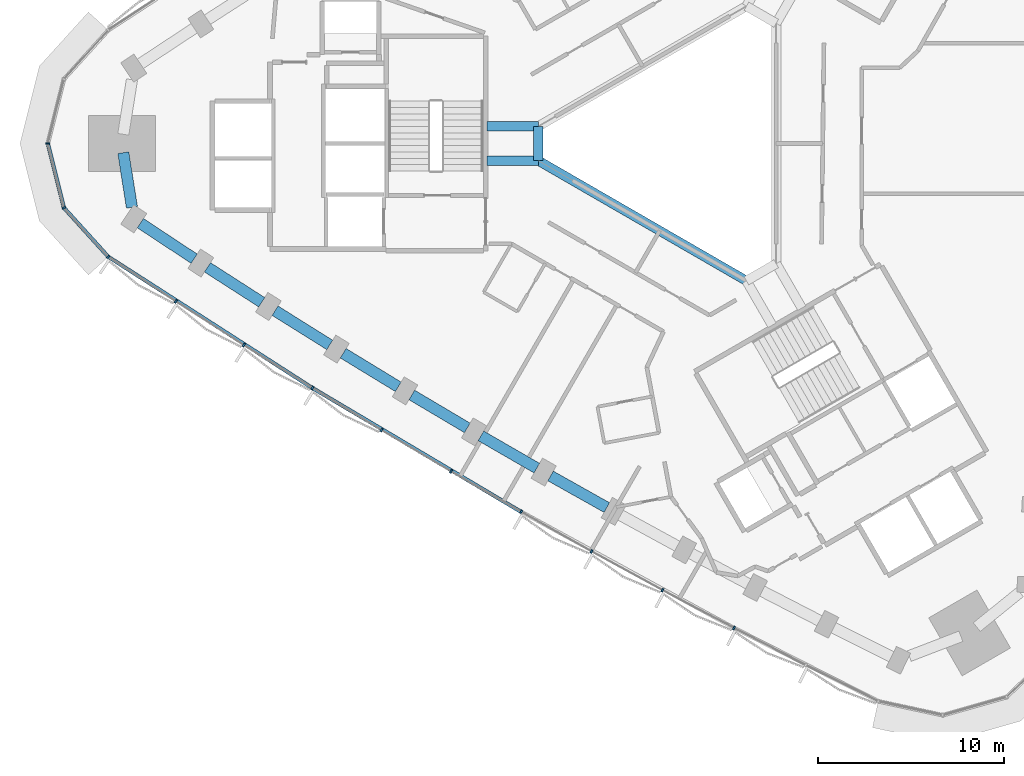
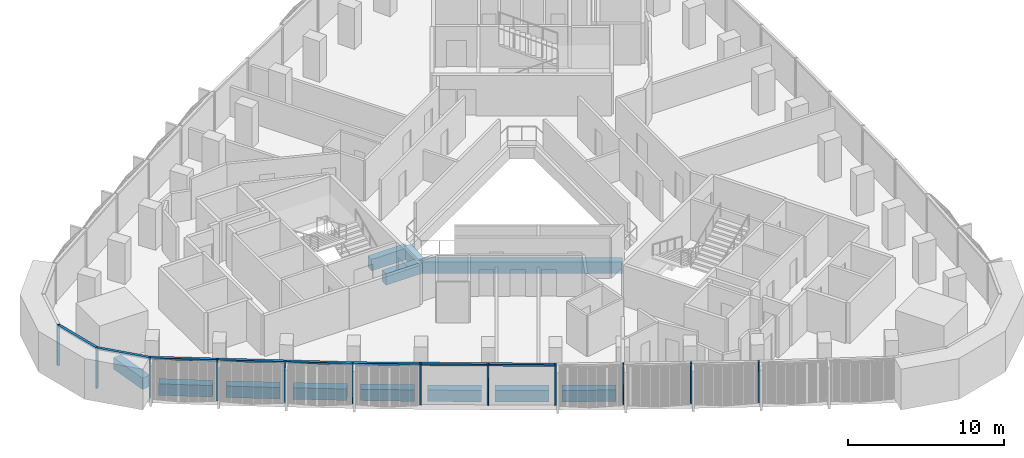
# One storey, part 2 of 14: 16 members, 12 beams, 2 elements without a shape of their own.
"""IFC4 building model written with IfcOpenShell, lengths in metres."""

from ifc_helpers import new_model, si_unit, direction, frame, origin, origin_2d, place, context, subcontext, project, spatial, rectangle, extrude, material, material_profile, profile_set, type_object, element, aggregate, save


model = new_model("IFC4")

# Units and contexts
model_context = context("Model", 3, precision=1e-05, world=origin(), true_north=direction((0.0, 1.0)))
body_context = subcontext(model_context, "Body", "Model", "MODEL_VIEW")
ifc_project = project(units=[si_unit("LENGTHUNIT", "METRE"), si_unit("AREAUNIT", "SQUARE_METRE"), si_unit("VOLUMEUNIT", "CUBIC_METRE"), si_unit("PLANEANGLEUNIT", "RADIAN"), si_unit("MASSUNIT", "GRAM", prefix="KILO")], contexts=[model_context])

# Site, building, storey
site_placement = place(None, origin())
site = spatial("IfcSite", under=ifc_project, at=site_placement, CompositionType="ELEMENT")
building_placement = place(site_placement, origin())
building = spatial("IfcBuilding", under=site, at=building_placement, Name="Tamra Quay Hotel Tower", CompositionType="ELEMENT")
storey_placement = place(building_placement, frame((0.0, 0.0, 146.800048828125)))
storey = spatial("IfcBuildingStorey", under=building, at=storey_placement, Name="L36", CompositionType="ELEMENT", Elevation=146.800048828125)

# Beams
ifc_material_1 = material(Name="Concrete M60", Category="concrete")
ifc_material_profile_1 = material_profile(ifc_material_1, rectangle(XDim=0.5, YDim=0.89990234375, at=origin_2d()), Name="ATRIUM EDGE BEAM RC 500x900")
ifc_profile_set_1 = profile_set([ifc_material_profile_1], Name="Concrete M60")
beam_type_1 = type_object("IfcBeamType", Name="ATRIUM EDGE BEAM RC 500x900", PredefinedType="BEAM", material=ifc_profile_set_1)
beam_1_placement = place(storey_placement, frame((3.199951171875, -7.39013671875, -0.85009765625), z_axis=(-0.866024942741, 0.500000798549, 0.0), x_axis=(-0.500000798549, -0.866024942741, 0.0)))
element("IfcBeam", 1, at=beam_1_placement, inside=storey, type_object=beam_type_1, Name="BM-AB2-L36", PredefinedType="BEAM", context=body_context, shape_type="SweptSolid", body=[
    extrude(rectangle(XDim=0.5, YDim=0.89990234375, at=origin_2d()), origin(), (0.0, 0.0, 1.0), 12.9326171875),
])
beam_2_placement = place(storey_placement, frame((-8.0, -0.923828125, -0.85009765625), z_axis=(0.0, 1.0, 0.0), x_axis=(-1.0, 0.0, 0.0)))
element("IfcBeam", 2, at=beam_2_placement, inside=storey, type_object=beam_type_1, Name="BM-AB3-L36", PredefinedType="BEAM", context=body_context, shape_type="SweptSolid", body=[
    extrude(rectangle(XDim=0.5, YDim=0.89990234375, at=origin_2d()), origin(), (0.0, 0.0, 1.0), 1.84765625),
])
ifc_material_profile_2 = material_profile(ifc_material_1, rectangle(XDim=0.5, YDim=0.89990234375, at=origin_2d()), Name="ATRIUM TIE BEAM RC 500x900")
ifc_profile_set_2 = profile_set([ifc_material_profile_2], Name="Concrete M60")
beam_type_2 = type_object("IfcBeamType", Name="ATRIUM TIE BEAM RC 500x900", PredefinedType="BEAM", material=ifc_profile_set_2)
for number, where, z_axis, x_axis, name in (
    (3, (-8.0, -0.923828125, -0.85009765625), (-1.0, 0.0, 0.0), (0.0, -1.0, 0.0), "BM-TIE-3-L36"),
    (4, (-8.0, 0.923828125, -0.85009765625), (-1.0, 0.0, 0.0), (0.0, -1.0, 0.0), "BM-TIE-4-L36"),
):
    element("IfcBeam", number, at=place(storey_placement, frame(where, z_axis=z_axis, x_axis=x_axis)), inside=storey, type_object=beam_type_2, Name=name, PredefinedType="BEAM", context=body_context, shape_type="SweptSolid", body=[
        extrude(rectangle(XDim=0.5, YDim=0.89990234375, at=origin_2d()), origin(), (0.0, 0.0, 1.0), 2.76220703125),
    ])

# Curtain wall, members
ifc_material_2 = material(Name="Aluminium 6063 anodised dark grey", Category="aluminium")
curtain_wall_type_1 = type_object("IfcCurtainWallType", Name="CW2 CURTAIN WALL", PredefinedType="NOTDEFINED", material=ifc_material_2)
curtain_wall_1_placement = place(storey_placement, origin())
curtain_wall_1 = element("IfcCurtainWall", 5, at=curtain_wall_1_placement, inside=storey, type_object=curtain_wall_type_1, Name="CW2 north-west face L36", PredefinedType="NOTDEFINED")
ifc_material_profile_3 = material_profile(ifc_material_2, rectangle(XDim=0.199951171875, YDim=0.10009765625, at=origin_2d()), Name="MULLION 100X200")
ifc_profile_set_3 = profile_set([ifc_material_profile_3], Name="Aluminium 6063 anodised dark grey")
member_type_1 = type_object("IfcMemberType", Name="MULLION CW2 Z3", PredefinedType="MULLION", material=ifc_profile_set_3)
member_1_placement = place(storey_placement, frame((-34.39990234375, 0.0, 0.0), z_axis=(0.0, 0.0, 1.0), x_axis=(-1.0, 0.0, 0.0)))
member_1 = element("IfcMember", 6, at=member_1_placement, type_object=member_type_1, Name="CW2 mullion L36.NW.14", PredefinedType="MULLION", context=body_context, shape_type="SweptSolid", body=[
    extrude(rectangle(XDim=0.199951171875, YDim=0.10009765625, at=origin_2d()), origin(), (0.0, 0.0, 1.0), 3.199951171875),
])
member_2_placement = place(storey_placement, frame((-33.533935546875, -3.4580078125, 0.0), z_axis=(0.0, 0.0, 1.0), x_axis=(-0.881925145425, -0.47138947577, 0.0)))
member_2 = element("IfcMember", 7, at=member_2_placement, type_object=member_type_1, Name="CW2 mullion L36.NW.15", PredefinedType="MULLION", context=body_context, shape_type="SweptSolid", body=[
    extrude(rectangle(XDim=0.199951171875, YDim=0.10009765625, at=origin_2d()), origin(), (0.0, 0.0, 1.0), 3.199951171875),
])

curtain_wall_type_2 = type_object("IfcCurtainWallType", Name="CW3 CURTAIN WALL", PredefinedType="NOTDEFINED", material=ifc_material_2)
curtain_wall_2_placement = place(storey_placement, origin())
curtain_wall_2 = element("IfcCurtainWall", 8, at=curtain_wall_2_placement, inside=storey, type_object=curtain_wall_type_2, Name="CW3 south-west face L36", PredefinedType="NOTDEFINED")
ifc_material_profile_4 = material_profile(ifc_material_2, rectangle(XDim=0.199951171875, YDim=0.10009765625, at=origin_2d()), Name="MULLION 100X200")
ifc_profile_set_4 = profile_set([ifc_material_profile_4], Name="Aluminium 6063 anodised dark grey")
member_type_2 = type_object("IfcMemberType", Name="MULLION CW3 Z3", PredefinedType="MULLION", material=ifc_profile_set_4)
member_3_placement = place(storey_placement, frame((-31.139892578125, -6.099365234375, 0.0), z_axis=(0.0, 0.0, 1.0), x_axis=(-0.650989203966, -0.759086988638, 0.0)))
member_3 = element("IfcMember", 9, at=member_3_placement, type_object=member_type_2, Name="CW3 mullion L36.SW.1", PredefinedType="MULLION", context=body_context, shape_type="SweptSolid", body=[
    extrude(rectangle(XDim=0.199951171875, YDim=0.10009765625, at=origin_2d()), origin(), (0.0, 0.0, 1.0), 3.199951171875),
])
member_4_placement = place(storey_placement, frame((-27.507568359375, -8.49609375, 0.0), z_axis=(0.0, 0.0, 1.0), x_axis=(-0.545780333841, -0.83792829478, 0.0)))
member_4 = element("IfcMember", 10, at=member_4_placement, type_object=member_type_2, Name="CW3 mullion L36.SW.2", PredefinedType="MULLION", context=body_context, shape_type="SweptSolid", body=[
    extrude(rectangle(XDim=0.199951171875, YDim=0.10009765625, at=origin_2d()), origin(), (0.0, 0.0, 1.0), 3.199951171875),
])
member_5_placement = place(storey_placement, frame((-23.84765625, -10.84912109375, 0.0), z_axis=(0.0, 0.0, 1.0), x_axis=(-0.535760469724, -0.844370013135, 0.0)))
member_5 = element("IfcMember", 11, at=member_5_placement, type_object=member_type_2, Name="CW3 mullion L36.SW.3", PredefinedType="MULLION", context=body_context, shape_type="SweptSolid", body=[
    extrude(rectangle(XDim=0.199951171875, YDim=0.10009765625, at=origin_2d()), origin(), (0.0, 0.0, 1.0), 3.199951171875),
])
member_6_placement = place(storey_placement, frame((-20.15869140625, -13.1591796875, 0.0), z_axis=(0.0, 0.0, 1.0), x_axis=(-0.525646070237, -0.850703361251, 0.0)))
member_6 = element("IfcMember", 12, at=member_6_placement, type_object=member_type_2, Name="CW3 mullion L36.SW.4", PredefinedType="MULLION", context=body_context, shape_type="SweptSolid", body=[
    extrude(rectangle(XDim=0.199951171875, YDim=0.10009765625, at=origin_2d()), origin(), (0.0, 0.0, 1.0), 3.199951171875),
])
member_7_placement = place(storey_placement, frame((-16.4423828125, -15.4248046875, 0.0), z_axis=(0.0, 0.0, 1.0), x_axis=(-0.515444608831, -0.856922899231, 0.0)))
member_7 = element("IfcMember", 13, at=member_7_placement, type_object=member_type_2, Name="CW3 mullion L36.SW.5", PredefinedType="MULLION", context=body_context, shape_type="SweptSolid", body=[
    extrude(rectangle(XDim=0.199951171875, YDim=0.10009765625, at=origin_2d()), origin(), (0.0, 0.0, 1.0), 3.199951171875),
])
member_8_placement = place(storey_placement, frame((-12.700439453125, -17.645263671875, 0.0), z_axis=(0.0, 0.0, 1.0), x_axis=(-0.505168628897, -0.863020658141, 0.0)))
member_8 = element("IfcMember", 14, at=member_8_placement, type_object=member_type_2, Name="CW3 mullion L36.SW.6", PredefinedType="MULLION", context=body_context, shape_type="SweptSolid", body=[
    extrude(rectangle(XDim=0.199951171875, YDim=0.10009765625, at=origin_2d()), origin(), (0.0, 0.0, 1.0), 3.199951171875),
])
member_9_placement = place(storey_placement, frame((-8.930908203125, -19.821533203125, 0.0), z_axis=(0.0, 0.0, 1.0), x_axis=(-0.494813499493, -0.86899919489, 0.0)))
member_9 = element("IfcMember", 15, at=member_9_placement, type_object=member_type_2, Name="CW3 mullion L36.SW.7", PredefinedType="MULLION", context=body_context, shape_type="SweptSolid", body=[
    extrude(rectangle(XDim=0.199951171875, YDim=0.10009765625, at=origin_2d()), origin(), (0.0, 0.0, 1.0), 3.199951171875),
])
member_10_placement = place(storey_placement, frame((-5.13720703125, -21.951904296875, 0.0), z_axis=(0.0, 0.0, 1.0), x_axis=(-0.484394695404, -0.874849575107, 0.0)))
member_10 = element("IfcMember", 16, at=member_10_placement, type_object=member_type_2, Name="CW3 mullion L36.SW.8", PredefinedType="MULLION", context=body_context, shape_type="SweptSolid", body=[
    extrude(rectangle(XDim=0.199951171875, YDim=0.10009765625, at=origin_2d()), origin(), (0.0, 0.0, 1.0), 3.199951171875),
])
member_11_placement = place(storey_placement, frame((-1.31689453125, -24.03759765625, 0.0), z_axis=(0.0, 0.0, 1.0), x_axis=(-0.47390768681, -0.88057453085, 0.0)))
member_11 = element("IfcMember", 17, at=member_11_placement, type_object=member_type_2, Name="CW3 mullion L36.SW.9", PredefinedType="MULLION", context=body_context, shape_type="SweptSolid", body=[
    extrude(rectangle(XDim=0.199951171875, YDim=0.10009765625, at=origin_2d()), origin(), (0.0, 0.0, 1.0), 3.199951171875),
])
member_12_placement = place(storey_placement, frame((2.5283203125, -26.077392578125, 0.0), z_axis=(0.0, 0.0, 1.0), x_axis=(-0.463365646706, -0.886167183692, 0.0)))
member_12 = element("IfcMember", 18, at=member_12_placement, type_object=member_type_2, Name="CW3 mullion L36.SW.10", PredefinedType="MULLION", context=body_context, shape_type="SweptSolid", body=[
    extrude(rectangle(XDim=0.199951171875, YDim=0.10009765625, at=origin_2d()), origin(), (0.0, 0.0, 1.0), 3.199951171875),
])

# Beams
ifc_material_profile_5 = material_profile(ifc_material_1, rectangle(XDim=0.60009765625, YDim=0.89990234375, at=origin_2d()), Name="SPANDREL BEAM RC 600x900")
ifc_profile_set_5 = profile_set([ifc_material_profile_5], Name="Concrete M60")
beam_type_3 = type_object("IfcBeamType", Name="SPANDREL BEAM RC 600x900", PredefinedType="SPANDREL", material=ifc_profile_set_5)
beam_3_placement = place(storey_placement, frame((-30.336181640625, -0.493408203125, -0.85009765625), z_axis=(0.156337236308, -0.987703735208, 0.0), x_axis=(0.987703735208, 0.156337236308, 0.0)))
element("IfcBeam", 19, at=beam_3_placement, inside=storey, type_object=beam_type_3, Name="BM-SP3-025-L36", PredefinedType="SPANDREL", context=body_context, shape_type="SweptSolid", body=[
    extrude(rectangle(XDim=0.60009765625, YDim=0.89990234375, at=origin_2d()), origin(), (0.0, 0.0, 1.0), 2.97802734375),
])
beam_4_placement = place(storey_placement, frame((-29.41796875, -4.28759765625, -0.85009765625), z_axis=(0.834690851507, -0.55071878705, 0.0), x_axis=(0.55071878705, 0.834690851507, 0.0)))
element("IfcBeam", 20, at=beam_4_placement, inside=storey, type_object=beam_type_3, Name="BM-SP3-026-L36", PredefinedType="SPANDREL", context=body_context, shape_type="SweptSolid", body=[
    extrude(rectangle(XDim=0.60009765625, YDim=0.89990234375, at=origin_2d()), origin(), (0.0, 0.0, 1.0), 3.472412109375),
])
beam_5_placement = place(storey_placement, frame((-25.807373046875, -6.663818359375, -0.85009765625), z_axis=(0.84116020305, -0.540786013878, 0.0), x_axis=(0.540786013878, 0.84116020305, 0.0)))
element("IfcBeam", 21, at=beam_5_placement, inside=storey, type_object=beam_type_3, Name="BM-SP3-027-L36", PredefinedType="SPANDREL", context=body_context, shape_type="SweptSolid", body=[
    extrude(rectangle(XDim=0.60009765625, YDim=0.89990234375, at=origin_2d()), origin(), (0.0, 0.0, 1.0), 3.47314453125),
])
for number, where, z_axis, x_axis, name in (
    (22, (-22.168212890625, -8.997314453125, -0.85009765625), (0.847547681474, -0.530719255, 0.0), (0.530719255, 0.847547681474, 0.0), "BM-SP3-028-L36"),
    (23, (-18.502197265625, -11.287109375, -0.85009765625), (0.853835813207, -0.520542413339, 0.0), (0.520542413339, 0.853835813207, 0.0), "BM-SP3-029-L36"),
):
    element("IfcBeam", number, at=place(storey_placement, frame(where, z_axis=z_axis, x_axis=x_axis)), inside=storey, type_object=beam_type_3, Name=name, PredefinedType="SPANDREL", context=body_context, shape_type="SweptSolid", body=[
        extrude(rectangle(XDim=0.60009765625, YDim=0.89990234375, at=origin_2d()), origin(), (0.0, 0.0, 1.0), 3.47216796875),
    ])
beam_6_placement = place(storey_placement, frame((-14.80908203125, -13.53271484375, -0.85009765625), z_axis=(0.859988767784, -0.510312962098, 0.0), x_axis=(0.510312962098, 0.859988767784, 0.0)))
element("IfcBeam", 24, at=beam_6_placement, inside=storey, type_object=beam_type_3, Name="BM-SP3-030-L36", PredefinedType="SPANDREL", context=body_context, shape_type="SweptSolid", body=[
    extrude(rectangle(XDim=0.60009765625, YDim=0.89990234375, at=origin_2d()), origin(), (0.0, 0.0, 1.0), 3.472900390625),
])
beam_7_placement = place(storey_placement, frame((-11.0888671875, -15.734375, -0.85009765625), z_axis=(0.866032201241, -0.499988226275, 0.0), x_axis=(0.499988226275, 0.866032201241, 0.0)))
element("IfcBeam", 25, at=beam_7_placement, inside=storey, type_object=beam_type_3, Name="BM-SP3-031-L36", PredefinedType="SPANDREL", context=body_context, shape_type="SweptSolid", body=[
    extrude(rectangle(XDim=0.60009765625, YDim=0.89990234375, at=origin_2d()), origin(), (0.0, 0.0, 1.0), 3.47216796875),
])
beam_8_placement = place(storey_placement, frame((-7.34326171875, -17.89111328125, -0.85009765625), z_axis=(0.871956406858, -0.489583521516, 0.0), x_axis=(0.489583521516, 0.871956406858, 0.0)))
element("IfcBeam", 26, at=beam_8_placement, inside=storey, type_object=beam_type_3, Name="BM-SP3-032-L36", PredefinedType="SPANDREL", context=body_context, shape_type="SweptSolid", body=[
    extrude(rectangle(XDim=0.60009765625, YDim=0.89990234375, at=origin_2d()), origin(), (0.0, 0.0, 1.0), 3.47265625),
])

# Member
ifc_material_profile_6 = material_profile(ifc_material_2, rectangle(XDim=0.199951171875, YDim=0.139892578125, at=origin_2d()), Name="TRANSOM 200X140")
ifc_profile_set_6 = profile_set([ifc_material_profile_6], Name="Aluminium 6063 anodised dark grey")
member_type_3 = type_object("IfcMemberType", Name="TRANSOM CW2 Z3", PredefinedType="USERDEFINED", material=ifc_profile_set_6)
member_13_placement = place(storey_placement, frame((-34.387939453125, -0.048583984375, 3.1298828125), z_axis=(0.243032991535, -0.970018023042, 0.0), x_axis=(0.970018023042, 0.243032991535, 0.0)))
member_13 = element("IfcMember", 27, at=member_13_placement, type_object=member_type_3, Name="CW2 transom L36.NW.14", ObjectType="TRANSOM", PredefinedType="USERDEFINED", context=body_context, shape_type="SweptSolid", body=[
    extrude(rectangle(XDim=0.199951171875, YDim=0.139892578125, at=origin_2d()), origin(), (0.0, 0.0, 1.0), 3.464599609375),
])

member_14_placement = place(storey_placement, frame((-33.500244140625, -3.4951171875, 3.1298828125), z_axis=(0.671553275013, -0.740956273217, 0.0), x_axis=(0.740956273217, 0.671553275013, 0.0)))
member_14 = element("IfcMember", 28, at=member_14_placement, type_object=member_type_3, Name="CW2 transom L36.NW.15", ObjectType="TRANSOM", PredefinedType="USERDEFINED", context=body_context, shape_type="SweptSolid", body=[
    extrude(rectangle(XDim=0.199951171875, YDim=0.139892578125, at=origin_2d()), origin(), (0.0, 0.0, 1.0), 3.46484375),
])

aggregate(curtain_wall_1, [member_1, member_13, member_2, member_14])

ifc_material_profile_7 = material_profile(ifc_material_2, rectangle(XDim=0.199951171875, YDim=0.139892578125, at=origin_2d()), Name="TRANSOM 200X140")
ifc_profile_set_7 = profile_set([ifc_material_profile_7], Name="Aluminium 6063 anodised dark grey")
member_type_4 = type_object("IfcMemberType", Name="TRANSOM CW3 Z3", PredefinedType="USERDEFINED", material=ifc_profile_set_7)
member_15_placement = place(storey_placement, frame((-31.09814453125, -6.126953125, 3.1298828125), z_axis=(0.841163779418, -0.54078045101, 0.0), x_axis=(0.54078045101, 0.841163779418, 0.0)))
member_15 = element("IfcMember", 29, at=member_15_placement, type_object=member_type_4, Name="CW3 transom L36.SW.1", ObjectType="TRANSOM", PredefinedType="USERDEFINED", context=body_context, shape_type="SweptSolid", body=[
    extrude(rectangle(XDim=0.199951171875, YDim=0.139892578125, at=origin_2d()), origin(), (0.0, 0.0, 1.0), 12.95458984375),
])

member_16_placement = place(storey_placement, frame((-20.115966796875, -13.18505859375, 3.1298828125), z_axis=(0.859981906486, -0.510324524707, 0.0), x_axis=(0.510324524707, 0.859981906486, 0.0)))
member_16 = element("IfcMember", 30, at=member_16_placement, type_object=member_type_4, Name="CW3 transom L36.SW.4", ObjectType="TRANSOM", PredefinedType="USERDEFINED", context=body_context, shape_type="SweptSolid", body=[
    extrude(rectangle(XDim=0.199951171875, YDim=0.139892578125, at=origin_2d()), origin(), (0.0, 0.0, 1.0), 12.95556640625),
])

aggregate(curtain_wall_2, [member_3, member_15, member_4, member_5, member_6, member_16, member_7, member_8, member_9, member_10, member_11, member_12])

save(model, "model.ifc")
